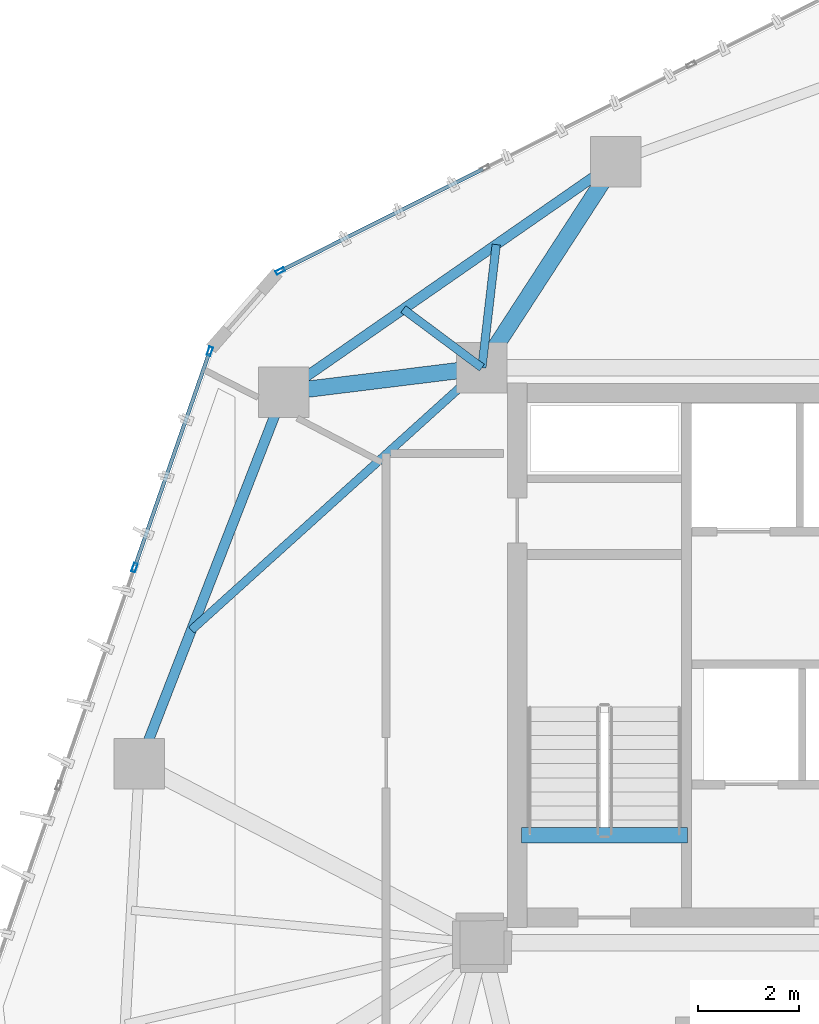
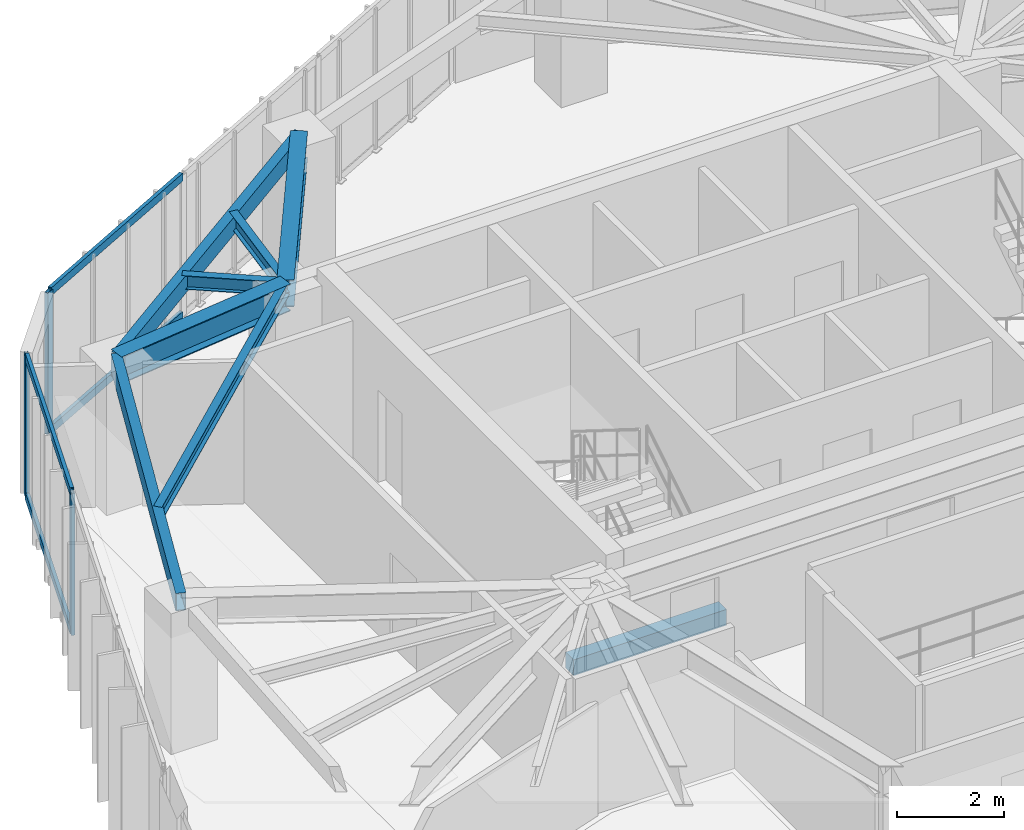
# One storey, part 8 of 20: 8 beams, 7 members, 2 elements without a shape of their own.
"""IFC4 building model written with IfcOpenShell, lengths in metres."""

from ifc_helpers import new_model, si_unit, direction, frame, origin, origin_2d, place, context, subcontext, project, spatial, rectangle, hollow_rectangle, i_section, extrude, source, transform, mapped, material, layer, layer_set, material_profile, profile_set, type_object, type_shapes, element, aggregate, save


model = new_model("IFC4")

# Units and contexts
model_context = context("Model", 3, precision=1e-05, world=origin(), true_north=direction((0.0, 1.0)))
body_context = subcontext(model_context, "Body", "Model", "MODEL_VIEW")
ifc_project = project(units=[si_unit("LENGTHUNIT", "METRE"), si_unit("AREAUNIT", "SQUARE_METRE"), si_unit("VOLUMEUNIT", "CUBIC_METRE"), si_unit("PLANEANGLEUNIT", "RADIAN"), si_unit("MASSUNIT", "GRAM", prefix="KILO")], contexts=[model_context])

# Site, building, storey
site_placement = place(None, origin())
site = spatial("IfcSite", under=ifc_project, at=site_placement, CompositionType="ELEMENT")
building_placement = place(site_placement, origin())
building = spatial("IfcBuilding", under=site, at=building_placement, Name="Talar Marvaseh", CompositionType="ELEMENT")
storey_placement = place(building_placement, frame((0.0, 0.0, 170.5)))
storey = spatial("IfcBuildingStorey", under=building, at=storey_placement, Name="L44", CompositionType="ELEMENT", Elevation=170.5)

# Beams
ifc_material_1 = material(Name="Concrete C40/50", Category="concrete")
ifc_material_profile_1 = material_profile(ifc_material_1, rectangle(XDim=0.300048828125, YDim=0.360107421875, at=origin_2d()), Name="RC300x360")
ifc_profile_set_1 = profile_set([ifc_material_profile_1], Name="Concrete C40/50")
beam_type_1 = type_object("IfcBeamType", Name="Concrete Stair Landing Trimmer Beam RC300x360", PredefinedType="SPANDREL", material=ifc_profile_set_1)
beam_1_placement = place(storey_placement, frame((22.780029296875, 27.6298828125, -0.179931640625), z_axis=(-1.0, 0.0, 0.0), x_axis=(0.0, -1.0, 0.0)))
element("IfcBeam", 1, at=beam_1_placement, inside=storey, type_object=beam_type_1, Name="L44 ST-1 Stair Nosing Trimmer Beam", PredefinedType="SPANDREL", context=body_context, shape_type="SweptSolid", body=[
    extrude(rectangle(XDim=0.300048828125, YDim=0.360107421875, at=origin_2d()), origin(), (0.0, 0.0, 1.0), 3.300048828125),
])
ifc_material_2 = material(Name="Steel S355", Category="steel")
ifc_material_profile_2 = material_profile(ifc_material_2, hollow_rectangle(XDim=0.199951171875, YDim=0.39990234375, WallThickness=0.013916015625, at=origin_2d()), Name="RHS400x200x14")
ifc_profile_set_2 = profile_set([ifc_material_profile_2], Name="Steel S355")
beam_type_2 = type_object("IfcBeamType", Name="Zone 3 Perimeter Spandrel Beam RHS400x200x14", PredefinedType="SPANDREL", material=ifc_profile_set_2)
beam_2_placement = place(storey_placement, frame((11.908935546875, 29.044921875, 3.030029296875), z_axis=(0.362169134611, 0.932112395548, 0.0), x_axis=(-0.932112395548, 0.362169134611, 0.0)))
element("IfcBeam", 2, at=beam_2_placement, inside=storey, type_object=beam_type_2, Name="L44 Zone 3 Perimeter Spandrel Beam RHS400x200x14", PredefinedType="SPANDREL", context=body_context, shape_type="SweptSolid", body=[
    extrude(hollow_rectangle(XDim=0.199951171875, YDim=0.39990234375, WallThickness=0.013916015625, at=origin_2d()), origin(), (0.0, 0.0, 1.0), 7.907958984375),
])
beam_3_placement = place(storey_placement, frame((14.77294921875, 36.416015625, 3.030029296875), z_axis=(0.821296978901, 0.570500896098, 0.0), x_axis=(-0.570500896098, 0.821296978901, 0.0)))
element("IfcBeam", 3, at=beam_3_placement, inside=storey, type_object=beam_type_2, Name="L44 Zone 3 Perimeter Spandrel Beam RHS400x200x14", PredefinedType="SPANDREL", context=body_context, shape_type="SweptSolid", body=[
    extrude(hollow_rectangle(XDim=0.199951171875, YDim=0.39990234375, WallThickness=0.013916015625, at=origin_2d()), origin(), (0.0, 0.0, 1.0), 8.0107421875),
])
ifc_material_profile_3 = material_profile(ifc_material_2, i_section(OverallWidth=0.324951171875, OverallDepth=0.615966796875, WebThickness=0.013916015625, FlangeThickness=0.021484375, at=origin_2d()), Name="W610x174")
ifc_profile_set_3 = profile_set([ifc_material_profile_3], Name="Steel S355")
beam_type_3 = type_object("IfcBeamType", Name="Zone 3 Radial Floor Girder W610x174", PredefinedType="BEAM", material=ifc_profile_set_3)
beam_4_placement = place(storey_placement, frame((14.77294921875, 36.416015625, 2.922119140625), z_axis=(0.99249373738, 0.122295467049, 0.0), x_axis=(-0.122295467049, 0.99249373738, 0.0)))
element("IfcBeam", 4, at=beam_4_placement, inside=storey, type_object=beam_type_3, Name="L44 Zone 3 Radial Floor Girder W610x174", PredefinedType="BEAM", context=body_context, shape_type="SweptSolid", body=[
    extrude(i_section(OverallWidth=0.324951171875, OverallDepth=0.615966796875, WebThickness=0.013916015625, FlangeThickness=0.021484375, at=origin_2d()), origin(), (0.0, 0.0, 1.0), 3.956787109375),
])
beam_5_placement = place(storey_placement, frame((21.35205078125, 40.986083984375, 2.922119140625), z_axis=(-0.544422757063, -0.838810980849, 0.0), x_axis=(0.838810980849, -0.544422757063, 0.0)))
element("IfcBeam", 5, at=beam_5_placement, inside=storey, type_object=beam_type_3, Name="L44 Zone 3 Radial Floor Girder W610x174", PredefinedType="BEAM", context=body_context, shape_type="SweptSolid", body=[
    extrude(i_section(OverallWidth=0.324951171875, OverallDepth=0.615966796875, WebThickness=0.013916015625, FlangeThickness=0.021484375, at=origin_2d()), origin(), (0.0, 0.0, 1.0), 4.871337890625),
])
ifc_material_profile_4 = material_profile(ifc_material_2, i_section(OverallWidth=0.166015625, OverallDepth=0.31298828125, WebThickness=0.006591796875, FlangeThickness=0.01123046875, at=origin_2d()), Name="W310x45")
ifc_profile_set_4 = profile_set([ifc_material_profile_4], Name="Steel S355")
beam_type_4 = type_object("IfcBeamType", Name="Zone 3 Secondary Floor Joist W310x45", PredefinedType="JOIST", material=ifc_profile_set_4)
beam_6_placement = place(storey_placement, frame((12.93994140625, 31.698486328125, 3.073486328125), z_axis=(0.74217784775, 0.670202985899, 0.0), x_axis=(-0.670202985899, 0.74217784775, 0.0)))
element("IfcBeam", 6, at=beam_6_placement, inside=storey, type_object=beam_type_4, Name="L44 Zone 3 Secondary Floor Joist W310x45", PredefinedType="JOIST", context=body_context, shape_type="SweptSolid", body=[
    extrude(i_section(OverallWidth=0.166015625, OverallDepth=0.31298828125, WebThickness=0.006591796875, FlangeThickness=0.01123046875, at=origin_2d()), origin(), (0.0, 0.0, 1.0), 7.760986328125),
])
beam_7_placement = place(storey_placement, frame((17.141357421875, 38.061279296875, 3.073486328125), z_axis=(0.801865127607, -0.597505077072, 0.0), x_axis=(0.597505077072, 0.801865127607, 0.0)))
element("IfcBeam", 7, at=beam_7_placement, inside=storey, type_object=beam_type_4, Name="L44 Zone 3 Secondary Floor Joist W310x45", PredefinedType="JOIST", context=body_context, shape_type="SweptSolid", body=[
    extrude(i_section(OverallWidth=0.166015625, OverallDepth=0.31298828125, WebThickness=0.006591796875, FlangeThickness=0.01123046875, at=origin_2d()), origin(), (0.0, 0.0, 1.0), 1.943603515625),
])
beam_8_placement = place(storey_placement, frame((18.983642578125, 39.3408203125, 3.073486328125), z_axis=(-0.115446145895, -0.993313740667, 0.0), x_axis=(0.993313740667, -0.115446145895, 0.0)))
element("IfcBeam", 8, at=beam_8_placement, inside=storey, type_object=beam_type_4, Name="L44 Zone 3 Secondary Floor Joist W310x45", PredefinedType="JOIST", context=body_context, shape_type="SweptSolid", body=[
    extrude(i_section(OverallWidth=0.166015625, OverallDepth=0.31298828125, WebThickness=0.006591796875, FlangeThickness=0.01123046875, at=origin_2d()), origin(), (0.0, 0.0, 1.0), 2.457275390625),
])

# Curtain wall, members
ifc_material_3 = material(Name="Architectural Aluminium", Category="aluminium")
ifc_layer = layer(ifc_material_3, 0.18994140625)
ifc_layer_set = layer_set([ifc_layer], Name="Architectural Aluminium")
curtain_wall_type = type_object("IfcCurtainWallType", Name="Unitised Solar Atelier Curtain Wall Z3", PredefinedType="NOTDEFINED", material=ifc_layer_set)
curtain_wall_1_placement = place(storey_placement, origin())
curtain_wall_1 = element("IfcCurtainWall", 9, at=curtain_wall_1_placement, inside=storey, type_object=curtain_wall_type, Name="L44 Unitised Solar Atelier Curtain Wall Z3", PredefinedType="NOTDEFINED")
ifc_material_profile_5 = material_profile(ifc_material_3, hollow_rectangle(XDim=0.074951171875, YDim=0.179931640625, WallThickness=0.0048828125, at=origin_2d()), Name="RHS180x75x5")
ifc_profile_set_5 = profile_set([ifc_material_profile_5], Name="Architectural Aluminium")
member_type_1 = type_object("IfcMemberType", Name="Unitised Curtain Wall Standard Mullion RHS180x75x5", PredefinedType="MULLION", material=ifc_profile_set_5)
shared_shape_1 = source(origin(), body_context, "Body", "SweptSolid", [
    extrude(hollow_rectangle(XDim=0.074951171875, YDim=0.179931640625, WallThickness=0.0048828125, at=origin_2d()), origin(), (0.0, 0.0, 1.0), 3.22998046875),
])
type_shapes(member_type_1, [shared_shape_1])
member_1_placement = place(storey_placement, frame((11.8134765625, 32.937255859375, 0.0), z_axis=(0.0, 0.0, 1.0), x_axis=(-0.944480879974, 0.328566381975, 0.0)))
member_1 = element("IfcMember", 10, at=member_1_placement, type_object=member_type_1, Name="CW-Z3 mullion 3", PredefinedType="MULLION", context=body_context, shape_type="MappedRepresentation", body=[
    mapped(shared_shape_1, transform((0.0, 0.0, 0.0), x_axis=(1.0, 0.0, 0.0), y_axis=(0.0, 1.0, 0.0), z_axis=(0.0, 0.0, 1.0), scale=1.0)),
])
member_2_placement = place(storey_placement, frame((13.304931640625, 37.224853515625, 0.0), z_axis=(0.0, 0.0, 1.0), x_axis=(-0.944480879974, 0.328566381975, 0.0)))
member_2 = element("IfcMember", 11, at=member_2_placement, type_object=member_type_1, Name="CW-Z3 mullion 4", PredefinedType="MULLION", context=body_context, shape_type="MappedRepresentation", body=[
    mapped(shared_shape_1, transform((0.0, 0.0, 0.0), x_axis=(1.0, 0.0, 0.0), y_axis=(0.0, 1.0, 0.0), z_axis=(0.0, 0.0, 1.0), scale=1.0)),
])

# Curtain wall, member
curtain_wall_2_placement = place(storey_placement, origin())
curtain_wall_2 = element("IfcCurtainWall", 12, at=curtain_wall_2_placement, inside=storey, type_object=curtain_wall_type, Name="L44 Unitised Solar Atelier Curtain Wall Z3", PredefinedType="NOTDEFINED")
member_3_placement = place(storey_placement, frame((14.701416015625, 38.817138671875, 0.0), z_axis=(0.0, 0.0, 1.0), x_axis=(-0.449042006912, 0.893510646847, 0.0)))
member_3 = element("IfcMember", 13, at=member_3_placement, type_object=member_type_1, Name="CW-Z3 mullion 1", PredefinedType="MULLION", context=body_context, shape_type="MappedRepresentation", body=[
    mapped(shared_shape_1, transform((0.0, 0.0, 0.0), x_axis=(1.0, 0.0, 0.0), y_axis=(0.0, 1.0, 0.0), z_axis=(0.0, 0.0, 1.0), scale=1.0)),
])

# Member
ifc_material_profile_6 = material_profile(ifc_material_3, hollow_rectangle(XDim=0.074951171875, YDim=0.179931640625, WallThickness=0.0048828125, at=origin_2d()), Name="RHS180x75x5")
ifc_profile_set_6 = profile_set([ifc_material_profile_6], Name="Architectural Aluminium")
member_type_2 = type_object("IfcMemberType", Name="Unitised Curtain Wall Transom RHS180x75x5", PredefinedType="USERDEFINED", material=ifc_profile_set_6)
shared_shape_2 = source(origin(), body_context, "Body", "SweptSolid", [
    extrude(hollow_rectangle(XDim=0.074951171875, YDim=0.179931640625, WallThickness=0.0048828125, at=origin_2d()), origin(), (0.0, 0.0, 1.0), 4.464599609375),
])
type_shapes(member_type_2, [shared_shape_2])
member_4_placement = place(storey_placement, frame((11.82568359375, 32.97265625, 0.03759765625), z_axis=(0.32858637209, 0.944473925567, 0.0), x_axis=(-0.944473925567, 0.32858637209, 0.0)))
member_4 = element("IfcMember", 14, at=member_4_placement, type_object=member_type_2, Name="CW-Z3 transom 3.1", ObjectType="TRANSOM", PredefinedType="USERDEFINED", context=body_context, shape_type="MappedRepresentation", body=[
    mapped(shared_shape_2, transform((0.0, 0.0, 0.0), x_axis=(1.0, 0.0, 0.0), y_axis=(0.0, 1.0, 0.0), z_axis=(0.0, 0.0, 1.0), scale=1.0)),
])

member_5_placement = place(storey_placement, frame((11.82568359375, 32.97265625, 3.1923828125), z_axis=(0.32858637209, 0.944473925567, 0.0), x_axis=(-0.944473925567, 0.32858637209, 0.0)))
member_5 = element("IfcMember", 15, at=member_5_placement, type_object=member_type_2, Name="CW-Z3 transom 3.2", ObjectType="TRANSOM", PredefinedType="USERDEFINED", context=body_context, shape_type="MappedRepresentation", body=[
    mapped(shared_shape_2, transform((0.0, 0.0, 0.0), x_axis=(1.0, 0.0, 0.0), y_axis=(0.0, 1.0, 0.0), z_axis=(0.0, 0.0, 1.0), scale=1.0)),
])

aggregate(curtain_wall_1, [member_1, member_2, member_4, member_5])

member_6_placement = place(storey_placement, frame((14.73486328125, 38.833984375, 0.03759765625), z_axis=(0.893528583008, 0.449006315488, 0.0), x_axis=(-0.449006315488, 0.893528583008, 0.0)))
member_6 = element("IfcMember", 16, at=member_6_placement, type_object=member_type_2, Name="CW-Z3 transom 1.1", ObjectType="TRANSOM", PredefinedType="USERDEFINED", context=body_context, shape_type="MappedRepresentation", body=[
    mapped(shared_shape_2, transform((0.0, 0.0, 0.0), x_axis=(1.0, 0.0, 0.0), y_axis=(0.0, 1.0, 0.0), z_axis=(0.0, 0.0, 1.0), scale=1.0)),
])

member_7_placement = place(storey_placement, frame((14.73486328125, 38.833984375, 3.1923828125), z_axis=(0.893528583008, 0.449006315488, 0.0), x_axis=(-0.449006315488, 0.893528583008, 0.0)))
member_7 = element("IfcMember", 17, at=member_7_placement, type_object=member_type_2, Name="CW-Z3 transom 1.2", ObjectType="TRANSOM", PredefinedType="USERDEFINED", context=body_context, shape_type="MappedRepresentation", body=[
    mapped(shared_shape_2, transform((0.0, 0.0, 0.0), x_axis=(1.0, 0.0, 0.0), y_axis=(0.0, 1.0, 0.0), z_axis=(0.0, 0.0, 1.0), scale=1.0)),
])

aggregate(curtain_wall_2, [member_3, member_6, member_7])

save(model, "model.ifc")
